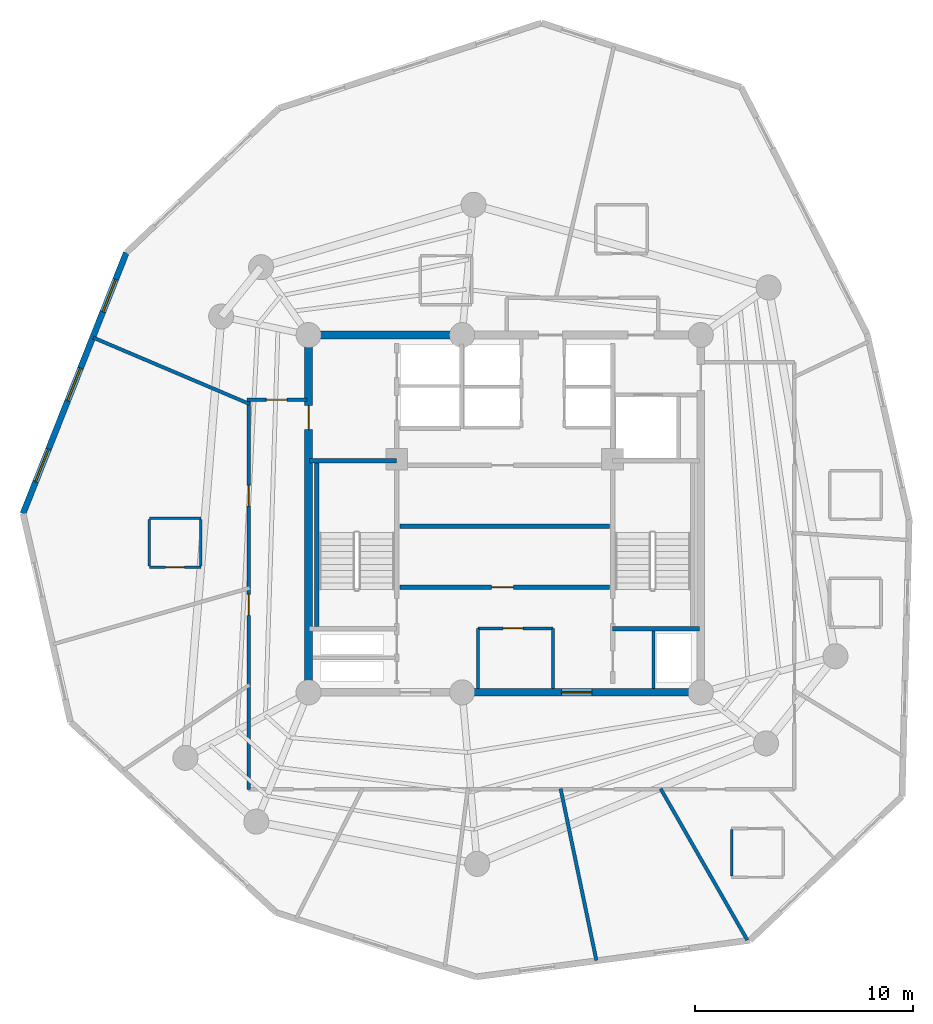
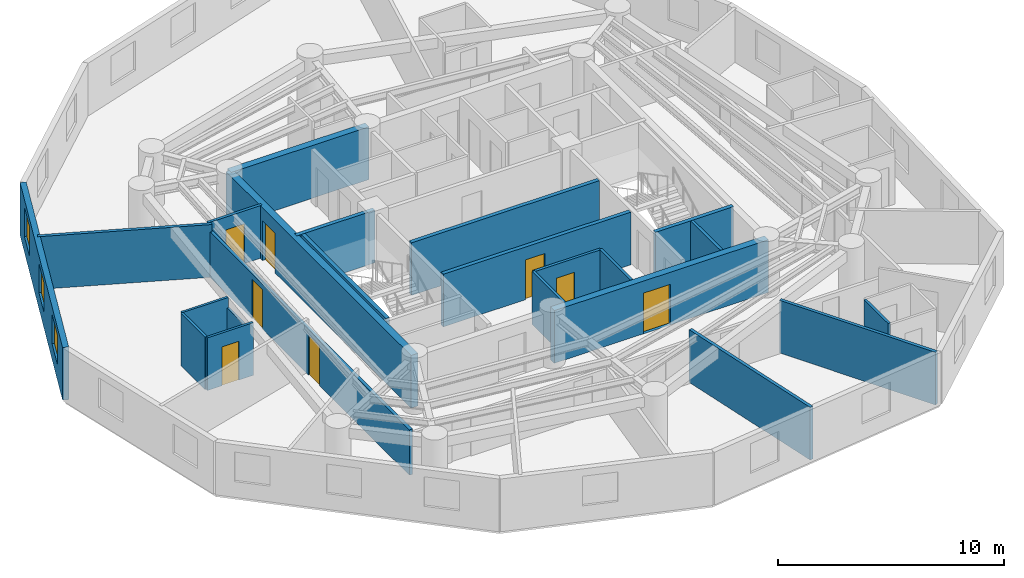
# One storey, part 3 of 7: 23 walls, 8 doors, 3 windows, 11 openings.
"""IFC4 building model written with IfcOpenShell, lengths in metres."""

from ifc_helpers import new_model, si_unit, direction, frame, frame_2d, origin, origin_with_axes, place, context, subcontext, project, spatial, rectangle, extrude, source, transform, mapped, material, layer, layer_set, type_object, element, fill, save


model = new_model("IFC4")

# Units and contexts
model_context = context("Model", 3, precision=1e-05, world=origin(), true_north=direction((0.0, 1.0)))
body_context = subcontext(model_context, "Body", "Model", "MODEL_VIEW")
ifc_project = project(units=[si_unit("LENGTHUNIT", "METRE"), si_unit("AREAUNIT", "SQUARE_METRE"), si_unit("VOLUMEUNIT", "CUBIC_METRE"), si_unit("PLANEANGLEUNIT", "RADIAN"), si_unit("MASSUNIT", "GRAM", prefix="KILO")], contexts=[model_context])

# Site, building, storey
site_placement = place(None, origin())
site = spatial("IfcSite", under=ifc_project, at=site_placement, CompositionType="ELEMENT")
building_placement = place(site_placement, origin())
building = spatial("IfcBuilding", under=site, at=building_placement, Name="Karkom Vertical University and Central Library", CompositionType="ELEMENT")
storey_placement = place(building_placement, frame((0.0, 0.0, 219.949951171875)))
storey = spatial("IfcBuildingStorey", under=building, at=storey_placement, Name="L64", CompositionType="ELEMENT", Elevation=219.949951171875)

# Wall, openings, windows
ifc_material_1 = material(Name="Brick-faced precast concrete C45/55", Category="masonry")
ifc_layer_1 = layer(ifc_material_1, 0.280029296875)
ifc_layer_set_1 = layer_set([ifc_layer_1], Name="Brick-faced precast concrete C45/55")
wall_type_1 = type_object("IfcWallType", Name="ENV-WL-BRK-280", PredefinedType="SOLIDWALL", material=ifc_layer_set_1)
wall_1_placement = place(storey_placement, frame((11.1357421875, 38.484130859375, 0.0), z_axis=(0.0, 0.0, 1.0), x_axis=(-0.367997606819, -0.929826737288, 0.0)))
wall_1 = element("IfcWall", 1, at=wall_1_placement, inside=storey, type_object=wall_type_1, Name="Level 64 Brick-Faced Precast Facade Wall 12", PredefinedType="SOLIDWALL", context=body_context, shape_type="SweptSolid", body=[
    extrude(rectangle(XDim=12.886474609375, YDim=0.280029296875, at=frame_2d((6.443359375, 0.0))), origin(), (0.0, 0.0, 1.0), 2.85009765625),
])
opening_1_placement = place(wall_1_placement, frame((1.32470703125, 0.0, 0.85009765625)))
opening_1 = element("IfcOpeningElement", 2, at=opening_1_placement, cuts=wall_1, Name="Opening WN-10", PredefinedType="OPENING", context=body_context, shape_type="SweptSolid", body=[
    extrude(rectangle(XDim=1.60009765625, YDim=1.60009765625, at=frame_2d((0.800048828125, 0.800048828125))), frame((0.0, 0.14990234375, 0.0), z_axis=(0.0, -1.0, 0.0), x_axis=(1.0, 0.0, 0.0)), (0.0, 0.0, 1.0), 0.300048828125),
])
opening_2_placement = place(wall_1_placement, frame((5.708740234375, 0.0, 0.85009765625)))
opening_2 = element("IfcOpeningElement", 3, at=opening_2_placement, cuts=wall_1, Name="Opening WN-10", PredefinedType="OPENING", context=body_context, shape_type="SweptSolid", body=[
    extrude(rectangle(XDim=1.60009765625, YDim=1.60009765625, at=frame_2d((0.800048828125, 0.800048828125))), frame((0.0, 0.14990234375, 0.0), z_axis=(0.0, -1.0, 0.0), x_axis=(1.0, 0.0, 0.0)), (0.0, 0.0, 1.0), 0.300048828125),
])
opening_3_placement = place(wall_1_placement, frame((9.707275390625, 0.0, 0.85009765625)))
opening_3 = element("IfcOpeningElement", 4, at=opening_3_placement, cuts=wall_1, Name="Opening WN-10", PredefinedType="OPENING", context=body_context, shape_type="SweptSolid", body=[
    extrude(rectangle(XDim=1.60009765625, YDim=1.60009765625, at=frame_2d((0.800048828125, 0.800048828125))), frame((0.0, 0.14990234375, 0.0), z_axis=(0.0, -1.0, 0.0), x_axis=(1.0, 0.0, 0.0)), (0.0, 0.0, 1.0), 0.300048828125),
])
ifc_material_2 = material(Name="Aluminium thermal-break frame with solar-control IGU", Category="aluminium")
window_type = type_object("IfcWindowType", Name="ENV-WIN-WN-10", PartitioningType="SINGLE_PANEL", PredefinedType="WINDOW", material=ifc_material_2)
shared_shape_1 = source(origin_with_axes(), body_context, "Body", "SweptSolid", [
    extrude(rectangle(XDim=1.60009765625, YDim=1.60009765625, at=frame_2d((0.800048828125, 0.800048828125))), frame((0.0, 0.030029296875, 0.0), z_axis=(0.0, -1.0, 0.0), x_axis=(1.0, 0.0, 0.0)), (0.0, 0.0, 1.0), 0.06005859375),
])
window_1_placement = place(opening_1_placement, origin())
window_1 = element("IfcWindow", 5, at=window_1_placement, inside=storey, type_object=window_type, Name="Level 64 Punched Window 12.1", OverallHeight=1.60009765625, OverallWidth=1.60009765625, PartitioningType="SINGLE_PANEL", PredefinedType="WINDOW", context=body_context, shape_type="MappedRepresentation", body=[
    mapped(shared_shape_1, transform((0.0, 0.0, 0.0), scale=1.0)),
])
fill(opening_1, window_1)
window_2_placement = place(opening_2_placement, origin())
window_2 = element("IfcWindow", 6, at=window_2_placement, inside=storey, type_object=window_type, Name="Level 64 Punched Window 12.2", OverallHeight=1.60009765625, OverallWidth=1.60009765625, PartitioningType="SINGLE_PANEL", PredefinedType="WINDOW", context=body_context, shape_type="MappedRepresentation", body=[
    mapped(shared_shape_1, transform((0.0, 0.0, 0.0), scale=1.0)),
])
fill(opening_2, window_2)
window_3_placement = place(opening_3_placement, origin())
window_3 = element("IfcWindow", 7, at=window_3_placement, inside=storey, type_object=window_type, Name="Level 64 Punched Window 12.3", OverallHeight=1.60009765625, OverallWidth=1.60009765625, PartitioningType="SINGLE_PANEL", PredefinedType="WINDOW", context=body_context, shape_type="MappedRepresentation", body=[
    mapped(shared_shape_1, transform((0.0, 0.0, 0.0), scale=1.0)),
])
fill(opening_3, window_3)

# Wall, openings, doors
ifc_material_3 = material(Name="Insulated metal-stud drywall 160mm", Category="gypsum")
ifc_layer_2 = layer(ifc_material_3, 0.159912109375)
ifc_layer_set_2 = layer_set([ifc_layer_2], Name="Insulated metal-stud drywall 160mm")
wall_type_2 = type_object("IfcWallType", Name="INT-WL-COR-160", PredefinedType="PARTITIONING", material=ifc_layer_set_2)
wall_2_placement = place(storey_placement, frame((16.75, 13.85009765625, 0.0), z_axis=(0.0, 0.0, 1.0), x_axis=(0.0, 1.0, 0.0)))
wall_2 = element("IfcWall", 8, at=wall_2_placement, inside=storey, type_object=wall_type_2, Name="Level 64 Interior Partition Wall L64-CORW-CW-002", PredefinedType="PARTITIONING", context=body_context, shape_type="SweptSolid", body=[
    extrude(rectangle(XDim=17.7998046875, YDim=0.159912109375, at=frame_2d((8.89990234375, 0.0))), origin(), (0.0, 0.0, 1.0), 2.449951171875),
])
opening_4_placement = place(wall_2_placement, frame((12.9921875, 0.0, 0.0)))
opening_4 = element("IfcOpeningElement", 9, at=opening_4_placement, cuts=wall_2, Name="Opening FD-RM2", PredefinedType="OPENING", context=body_context, shape_type="SweptSolid", body=[
    extrude(rectangle(XDim=0.9599609375, YDim=2.14990234375, at=frame_2d((0.47998046875, 1.074951171875))), frame((0.0, 0.08984375, 0.0), z_axis=(0.0, -1.0, 0.0), x_axis=(1.0, 0.0, 0.0)), (0.0, 0.0, 1.0), 0.179931640625),
])
opening_5_placement = place(wall_2_placement, frame((7.985107421875, 0.0, 0.0)))
opening_5 = element("IfcOpeningElement", 10, at=opening_5_placement, cuts=wall_2, Name="Opening FD-RM2", PredefinedType="OPENING", context=body_context, shape_type="SweptSolid", body=[
    extrude(rectangle(XDim=0.9599609375, YDim=2.14990234375, at=frame_2d((0.47998046875, 1.074951171875))), frame((0.0, 0.08984375, 0.0), z_axis=(0.0, -1.0, 0.0), x_axis=(1.0, 0.0, 0.0)), (0.0, 0.0, 1.0), 0.179931640625),
])
ifc_material_4 = material(Name="Fire-rated oak veneer door", Category="wood")
door_type_1 = type_object("IfcDoorType", Name="INT-DR-FRM2", OperationType="NOTDEFINED", PredefinedType="DOOR", material=ifc_material_4)
shared_shape_2 = source(origin_with_axes(), body_context, "Body", "SweptSolid", [
    extrude(rectangle(XDim=0.9599609375, YDim=2.14990234375, at=frame_2d((0.47998046875, 1.074951171875))), frame((0.0, 0.02490234375, 0.0), z_axis=(0.0, -1.0, 0.0), x_axis=(1.0, 0.0, 0.0)), (0.0, 0.0, 1.0), 0.050048828125),
])
door_1_placement = place(opening_4_placement, origin())
door_1 = element("IfcDoor", 11, at=door_1_placement, inside=storey, type_object=door_type_1, Name="Level 64 Room Entry Door 420", OperationType="SINGLE_SWING_RIGHT", OverallHeight=2.14990234375, OverallWidth=0.9599609375, PredefinedType="DOOR", context=body_context, shape_type="MappedRepresentation", body=[
    mapped(shared_shape_2, transform((0.0, 0.0, 0.0), scale=1.0)),
])
fill(opening_4, door_1)
door_2_placement = place(opening_5_placement, origin())
door_2 = element("IfcDoor", 12, at=door_2_placement, inside=storey, type_object=door_type_1, Name="Level 64 Room Entry Door 300", OperationType="SINGLE_SWING_LEFT", OverallHeight=2.14990234375, OverallWidth=0.9599609375, PredefinedType="DOOR", context=body_context, shape_type="MappedRepresentation", body=[
    mapped(shared_shape_2, transform((0.0, 0.0, 0.0), scale=1.0)),
])
fill(opening_5, door_2)

# Walls
wall_3_placement = place(storey_placement, frame((31.067626953125, 13.87939453125, 0.0), z_axis=(0.0, 0.0, 1.0), x_axis=(0.203904581613, -0.97899076686, 0.0)))
element("IfcWall", 13, at=wall_3_placement, inside=storey, type_object=wall_type_2, Name="Level 64 Interior Partition Wall L64-PW-005", PredefinedType="PARTITIONING", context=body_context, shape_type="SweptSolid", body=[
    extrude(rectangle(XDim=8.047119140625, YDim=0.159912109375, at=frame_2d((4.0234375, 0.0))), origin(), (0.0, 0.0, 1.0), 2.85009765625),
])
wall_4_placement = place(storey_placement, frame((35.6591796875, 13.8759765625, 0.0), z_axis=(0.0, 0.0, 1.0), x_axis=(0.496904293202, -0.867805348795, 0.0)))
element("IfcWall", 14, at=wall_4_placement, inside=storey, type_object=wall_type_2, Name="Level 64 Interior Partition Wall L64-PW-006", PredefinedType="PARTITIONING", context=body_context, shape_type="SweptSolid", body=[
    extrude(rectangle(XDim=8.002197265625, YDim=0.159912109375, at=frame_2d((4.0009765625, 0.0))), origin(), (0.0, 0.0, 1.0), 2.85009765625),
])
wall_5_placement = place(storey_placement, frame((16.777587890625, 31.541015625, 0.0), z_axis=(0.0, 0.0, 1.0), x_axis=(-0.920500032192, 0.390742486472, 0.0)))
element("IfcWall", 15, at=wall_5_placement, inside=storey, type_object=wall_type_2, Name="Level 64 Interior Partition Wall L64-PW-011", PredefinedType="PARTITIONING", context=body_context, shape_type="SweptSolid", body=[
    extrude(rectangle(XDim=7.7783203125, YDim=0.159912109375, at=frame_2d((3.88916015625, 0.0))), origin(), (0.0, 0.0, 1.0), 2.85009765625),
])

# Wall, opening, door
ifc_material_5 = material(Name="Moisture-resistant drywall 120mm", Category="gypsum")
ifc_layer_3 = layer(ifc_material_5, 0.1201171875)
ifc_layer_set_3 = layer_set([ifc_layer_3], Name="Moisture-resistant drywall 120mm")
wall_type_3 = type_object("IfcWallType", Name="INT-WL-INT-120F", PredefinedType="PARTITIONING", material=ifc_layer_set_3)
wall_6_placement = place(storey_placement, frame((12.194091796875, 24.049072265625, 0.0), z_axis=(0.0, 0.0, 1.0), x_axis=(1.0, 0.0, 0.0)))
wall_6 = element("IfcWall", 16, at=wall_6_placement, inside=storey, type_object=wall_type_3, Name="Level 64 Interior Partition Wall L64-ENS-50-S", PredefinedType="PARTITIONING", context=body_context, shape_type="SweptSolid", body=[
    extrude(rectangle(XDim=2.35986328125, YDim=0.1201171875, at=frame_2d((1.179931640625, 0.0))), origin(), (0.0, 0.0, 1.0), 2.85009765625),
])
opening_6_placement = place(wall_6_placement, frame((0.75, 0.0, 0.0)))
opening_6 = element("IfcOpeningElement", 17, at=opening_6_placement, cuts=wall_6, Name="Opening D-BATH", PredefinedType="OPENING", context=body_context, shape_type="SweptSolid", body=[
    extrude(rectangle(XDim=0.860107421875, YDim=2.10009765625, at=frame_2d((0.43017578125, 1.050048828125))), frame((0.0, 0.070068359375, 0.0), z_axis=(0.0, -1.0, 0.0), x_axis=(1.0, 0.0, 0.0)), (0.0, 0.0, 1.0), 0.14013671875),
])
ifc_material_6 = material(Name="Moisture-resistant oak door", Category="wood")
door_type_2 = type_object("IfcDoorType", Name="INT-DR-BATH", OperationType="NOTDEFINED", PredefinedType="DOOR", material=ifc_material_6)
shared_shape_3 = source(origin_with_axes(), body_context, "Body", "SweptSolid", [
    extrude(rectangle(XDim=0.860107421875, YDim=2.10009765625, at=frame_2d((0.43017578125, 1.050048828125))), frame((0.0, 0.02490234375, 0.0), z_axis=(0.0, -1.0, 0.0), x_axis=(1.0, 0.0, 0.0)), (0.0, 0.0, 1.0), 0.050048828125),
])
door_3_placement = place(opening_6_placement, origin())
door_3 = element("IfcDoor", 18, at=door_3_placement, inside=storey, type_object=door_type_2, Name="Level 64 En-Suite Bathroom Door 50", OperationType="SINGLE_SWING_LEFT", OverallHeight=2.10009765625, OverallWidth=0.860107421875, PredefinedType="DOOR", context=body_context, shape_type="MappedRepresentation", body=[
    mapped(shared_shape_3, transform((0.0, 0.0, 0.0), scale=1.0)),
])
fill(opening_6, door_3)

# Walls
wall_7_placement = place(storey_placement, frame((14.553955078125, 26.2890625, 0.0), z_axis=(0.0, 0.0, 1.0), x_axis=(-1.0, 0.0, 0.0)))
element("IfcWall", 19, at=wall_7_placement, inside=storey, type_object=wall_type_3, Name="Level 64 Interior Partition Wall L64-ENS-50-N", PredefinedType="PARTITIONING", context=body_context, shape_type="SweptSolid", body=[
    extrude(rectangle(XDim=2.35986328125, YDim=0.1201171875, at=frame_2d((1.179931640625, 0.0))), origin(), (0.0, 0.0, 1.0), 2.85009765625),
])
wall_8_placement = place(storey_placement, frame((14.553955078125, 24.09912109375, 0.0), z_axis=(0.0, 0.0, 1.0), x_axis=(0.0, 1.0, 0.0)))
element("IfcWall", 20, at=wall_8_placement, inside=storey, type_object=wall_type_3, Name="Level 64 Interior Partition Wall L64-ENS-50-E", PredefinedType="PARTITIONING", context=body_context, shape_type="SweptSolid", body=[
    extrude(rectangle(XDim=2.139892578125, YDim=0.1201171875, at=frame_2d((1.06982421875, 0.0))), origin(), (0.0, 0.0, 1.0), 2.300048828125),
])
for number, where, z_axis, x_axis, name in (
    (21, (12.194091796875, 26.239013671875, 0.0), (0.0, 0.0, 1.0), (0.0, -1.0, 0.0), "Level 64 Interior Partition Wall L64-ENS-50-W"),
    (22, (38.9169921875, 12.00390625, 0.0), (0.0, 0.0, 1.0), (0.0, -1.0, 0.0), "Level 64 Interior Partition Wall L64-ENS-45-W"),
):
    element("IfcWall", number, at=place(storey_placement, frame(where, z_axis=z_axis, x_axis=x_axis)), inside=storey, type_object=wall_type_3, Name=name, PredefinedType="PARTITIONING", context=body_context, shape_type="SweptSolid", body=[
        extrude(rectangle(XDim=2.139892578125, YDim=0.1201171875, at=frame_2d((1.06982421875, 0.0))), origin(), (0.0, 0.0, 1.0), 2.85009765625),
    ])

# Wall, opening, door
ifc_material_7 = material(Name="Metal-stud gypsum partition 140mm", Category="gypsum")
ifc_layer_4 = layer(ifc_material_7, 0.139892578125)
ifc_layer_set_4 = layer_set([ifc_layer_4], Name="Metal-stud gypsum partition 140mm")
wall_type_4 = type_object("IfcWallType", Name="INT-WL-SUB-140", PredefinedType="PARTITIONING", material=ifc_layer_set_4)
wall_9_placement = place(storey_placement, frame((27.280029296875, 21.239990234375, 0.0), z_axis=(0.0, 0.0, 1.0), x_axis=(1.0, 0.0, 0.0)))
wall_9 = element("IfcWall", 23, at=wall_9_placement, inside=storey, type_object=wall_type_4, Name="Level 64 Interior Partition Wall L64-CW-KBAY-N", PredefinedType="PARTITIONING", context=body_context, shape_type="SweptSolid", body=[
    extrude(rectangle(XDim=3.43994140625, YDim=0.139892578125, at=frame_2d((1.719970703125, 0.0))), origin(), (0.0, 0.0, 1.0), 2.85009765625),
])
opening_7_placement = place(wall_9_placement, frame((1.14990234375, 0.0, 0.0)))
opening_7 = element("IfcOpeningElement", 24, at=opening_7_placement, cuts=wall_9, Name="Opening D-SVC1", PredefinedType="OPENING", context=body_context, shape_type="SweptSolid", body=[
    extrude(rectangle(XDim=0.919921875, YDim=2.10009765625, at=frame_2d((0.4599609375, 1.050048828125))), frame((0.0, 0.080078125, 0.0), z_axis=(0.0, -1.0, 0.0), x_axis=(1.0, 0.0, 0.0)), (0.0, 0.0, 1.0), 0.159912109375),
])
ifc_material_8 = material(Name="Painted timber service door", Category="wood")
door_type_3 = type_object("IfcDoorType", Name="INT-DR-SVC1", OperationType="NOTDEFINED", PredefinedType="DOOR", material=ifc_material_8)
shared_shape_4 = source(origin_with_axes(), body_context, "Body", "SweptSolid", [
    extrude(rectangle(XDim=0.919921875, YDim=2.10009765625, at=frame_2d((0.4599609375, 1.050048828125))), frame((0.0, 0.02490234375, 0.0), z_axis=(0.0, -1.0, 0.0), x_axis=(1.0, 0.0, 0.0)), (0.0, 0.0, 1.0), 0.050048828125),
])
door_4_placement = place(opening_7_placement, origin())
door_4 = element("IfcDoor", 25, at=door_4_placement, inside=storey, type_object=door_type_3, Name="Level 64 Comms Room Door", OperationType="SINGLE_SWING_RIGHT", OverallHeight=2.10009765625, OverallWidth=0.919921875, PredefinedType="DOOR", context=body_context, shape_type="MappedRepresentation", body=[
    mapped(shared_shape_4, transform((0.0, 0.0, 0.0), scale=1.0)),
])
fill(opening_7, door_4)

wall_10_placement = place(storey_placement, frame((19.419921875, 31.72998046875, 0.0), z_axis=(0.0, 0.0, 1.0), x_axis=(-1.0, 0.0, 0.0)))
wall_10 = element("IfcWall", 26, at=wall_10_placement, inside=storey, type_object=wall_type_4, Name="Level 64 Interior Partition Wall L64-CWALL-418", PredefinedType="PARTITIONING", context=body_context, shape_type="SweptSolid", body=[
    extrude(rectangle(XDim=2.75, YDim=0.139892578125, at=frame_2d((1.375, 0.0))), origin(), (0.0, 0.0, 1.0), 2.85009765625),
])
opening_8_placement = place(wall_10_placement, frame((0.89990234375, 0.0, 0.0)))
opening_8 = element("IfcOpeningElement", 27, at=opening_8_placement, cuts=wall_10, Name="Opening FD-RM2", PredefinedType="OPENING", context=body_context, shape_type="SweptSolid", body=[
    extrude(rectangle(XDim=0.9599609375, YDim=2.14990234375, at=frame_2d((0.47998046875, 1.074951171875))), frame((0.0, 0.080078125, 0.0), z_axis=(0.0, -1.0, 0.0), x_axis=(1.0, 0.0, 0.0)), (0.0, 0.0, 1.0), 0.159912109375),
])
door_5_placement = place(opening_8_placement, origin())
door_5 = element("IfcDoor", 28, at=door_5_placement, inside=storey, type_object=door_type_1, Name="Level 64 Room Entry Door 418", OperationType="SINGLE_SWING_RIGHT", OverallHeight=2.14990234375, OverallWidth=0.9599609375, PredefinedType="DOOR", context=body_context, shape_type="MappedRepresentation", body=[
    mapped(shared_shape_2, transform((0.0, 0.0, 0.0), scale=1.0)),
])
fill(opening_8, door_5)

# Walls
for number, where, z_axis, x_axis, name in (
    (29, (27.280029296875, 18.48193359375, 0.0), (0.0, 0.0, 1.0), (0.0, 1.0, 0.0), "Level 64 Interior Partition Wall L64-CW-KBAY-W"),
    (30, (30.719970703125, 18.48193359375, 0.0), (0.0, 0.0, 1.0), (0.0, 1.0, 0.0), "Level 64 Interior Partition Wall L64-CW-KBAY-E"),
):
    element("IfcWall", number, at=place(storey_placement, frame(where, z_axis=z_axis, x_axis=x_axis)), inside=storey, type_object=wall_type_4, Name=name, PredefinedType="PARTITIONING", context=body_context, shape_type="SweptSolid", body=[
        extrude(rectangle(XDim=2.758056640625, YDim=0.139892578125, at=frame_2d((1.37890625, 0.0))), origin(), (0.0, 0.0, 1.0), 2.85009765625),
    ])
ifc_layer_5 = layer(ifc_material_7, 0.139892578125)
ifc_layer_set_5 = layer_set([ifc_layer_5], Name="Metal-stud gypsum partition 140mm")
wall_type_5 = type_object("IfcWallType", Name="INT-WL-SUB-140H", PredefinedType="PARTITIONING", material=ifc_layer_set_5)
wall_11_placement = place(storey_placement, frame((35.320068359375, 18.48193359375, 0.0), z_axis=(0.0, 0.0, 1.0), x_axis=(0.0, 1.0, 0.0)))
element("IfcWall", 31, at=wall_11_placement, inside=storey, type_object=wall_type_5, Name="Level 64 Interior Partition Wall L64-CW-RIS-E", PredefinedType="PARTITIONING", context=body_context, shape_type="SweptSolid", body=[
    extrude(rectangle(XDim=2.629150390625, YDim=0.139892578125, at=frame_2d((1.314453125, 0.0))), origin(), (0.0, 0.0, 1.0), 2.85009765625),
])

# Wall, opening, door
ifc_material_9 = material(Name="Concrete C45/55", Category="concrete")
ifc_layer_6 = layer(ifc_material_9, 0.35009765625)
ifc_layer_set_6 = layer_set([ifc_layer_6], Name="Concrete C45/55")
wall_type_6 = type_object("IfcWallType", Name="STR-WL-CW-350", PredefinedType="SHEAR", material=ifc_layer_set_6)
wall_12_placement = place(storey_placement, frame((26.550048828125, 18.300048828125, 0.0), z_axis=(0.0, 0.0, 1.0), x_axis=(1.0, 0.0, 0.0)))
wall_12 = element("IfcWall", 32, at=wall_12_placement, inside=storey, type_object=wall_type_6, Name="Level 64 Central Core Shear Wall SW2", PredefinedType="SHEAR", context=body_context, shape_type="SweptSolid", body=[
    extrude(rectangle(XDim=10.949951171875, YDim=0.35009765625, at=frame_2d((5.47509765625, 0.0))), origin(), (0.0, 0.0, 1.0), 2.85009765625),
])
opening_9_placement = place(wall_12_placement, frame((4.550048828125, 0.0, 0.0)))
opening_9 = element("IfcOpeningElement", 33, at=opening_9_placement, cuts=wall_12, Name="Opening FD-CLB", PredefinedType="OPENING", context=body_context, shape_type="SweptSolid", body=[
    extrude(rectangle(XDim=1.39990234375, YDim=2.199951171875, at=frame_2d((0.699951171875, 1.10009765625))), frame((0.0, 0.18505859375, 0.0), z_axis=(0.0, -1.0, 0.0), x_axis=(1.0, 0.0, 0.0)), (0.0, 0.0, 1.0), 0.3701171875),
])
ifc_material_10 = material(Name="Painted steel fire door", Category="steel")
door_type_4 = type_object("IfcDoorType", Name="INT-DR-CLB", OperationType="DOUBLE_DOOR_SINGLE_SWING", PredefinedType="DOOR", material=ifc_material_10)
shared_shape_5 = source(origin_with_axes(), body_context, "Body", "SweptSolid", [
    extrude(rectangle(XDim=1.39990234375, YDim=2.199951171875, at=frame_2d((0.699951171875, 1.10009765625))), frame((0.0, 0.02490234375, 0.0), z_axis=(0.0, -1.0, 0.0), x_axis=(1.0, 0.0, 0.0)), (0.0, 0.0, 1.0), 0.050048828125),
])
door_6_placement = place(opening_9_placement, origin())
door_6 = element("IfcDoor", 34, at=door_6_placement, inside=storey, type_object=door_type_4, Name="Level 64 South Core Lobby East Exit Door", OperationType="DOUBLE_DOOR_SINGLE_SWING", OverallHeight=2.199951171875, OverallWidth=1.39990234375, PredefinedType="DOOR", context=body_context, shape_type="MappedRepresentation", body=[
    mapped(shared_shape_5, transform((0.0, 0.0, 0.0), scale=1.0)),
])
fill(opening_9, door_6)

# Wall
wall_13_placement = place(storey_placement, frame((26.550048828125, 34.699951171875, 0.0), z_axis=(0.0, 0.0, 1.0), x_axis=(-1.0, 0.0, 0.0)))
element("IfcWall", 35, at=wall_13_placement, inside=storey, type_object=wall_type_6, Name="Level 64 Central Core Shear Wall NW2", PredefinedType="SHEAR", context=body_context, shape_type="SweptSolid", body=[
    extrude(rectangle(XDim=7.050048828125, YDim=0.35009765625, at=frame_2d((3.52490234375, 0.0))), origin(), (0.0, 0.0, 1.0), 2.85009765625),
])

# Wall, opening, door
wall_14_placement = place(storey_placement, frame((19.5, 34.699951171875, 0.0), z_axis=(0.0, 0.0, 1.0), x_axis=(0.0, -1.0, 0.0)))
wall_14 = element("IfcWall", 36, at=wall_14_placement, inside=storey, type_object=wall_type_6, Name="Level 64 Central Core Shear Wall WW", PredefinedType="SHEAR", context=body_context, shape_type="SweptSolid", body=[
    extrude(rectangle(XDim=16.39990234375, YDim=0.35009765625, at=frame_2d((8.199951171875, 0.0))), origin(), (0.0, 0.0, 1.0), 2.85009765625),
])
opening_10_placement = place(wall_14_placement, frame((3.239990234375, 0.0, 0.0)))
opening_10 = element("IfcOpeningElement", 37, at=opening_10_placement, cuts=wall_14, Name="Opening FD-FFL", PredefinedType="OPENING", context=body_context, shape_type="SweptSolid", body=[
    extrude(rectangle(XDim=1.10009765625, YDim=2.14990234375, at=frame_2d((0.550048828125, 1.074951171875))), frame((0.0, 0.18505859375, 0.0), z_axis=(0.0, -1.0, 0.0), x_axis=(1.0, 0.0, 0.0)), (0.0, 0.0, 1.0), 0.3701171875),
])
ifc_material_11 = material(Name="Painted steel smoke-seal fire door", Category="steel")
door_type_5 = type_object("IfcDoorType", Name="INT-DR-FFL", OperationType="NOTDEFINED", PredefinedType="DOOR", material=ifc_material_11)
shared_shape_6 = source(origin_with_axes(), body_context, "Body", "SweptSolid", [
    extrude(rectangle(XDim=1.10009765625, YDim=2.14990234375, at=frame_2d((0.550048828125, 1.074951171875))), frame((0.0, 0.02490234375, 0.0), z_axis=(0.0, -1.0, 0.0), x_axis=(1.0, 0.0, 0.0)), (0.0, 0.0, 1.0), 0.050048828125),
])
door_7_placement = place(opening_10_placement, origin())
door_7 = element("IfcDoor", 38, at=door_7_placement, inside=storey, type_object=door_type_5, Name="Level 64 West Corridor Firefighting Lobby Door", OperationType="SINGLE_SWING_RIGHT", OverallHeight=2.14990234375, OverallWidth=1.10009765625, PredefinedType="DOOR", context=body_context, shape_type="MappedRepresentation", body=[
    mapped(shared_shape_6, transform((0.0, 0.0, 0.0), scale=1.0)),
])
fill(opening_10, door_7)

ifc_layer_7 = layer(ifc_material_9, 0.199951171875)
ifc_layer_set_7 = layer_set([ifc_layer_7], Name="Concrete C45/55")
wall_type_7 = type_object("IfcWallType", Name="STR-WL-ST-200", PredefinedType="SHEAR", material=ifc_layer_set_7)
wall_15_placement = place(storey_placement, frame((23.699951171875, 23.1201171875, 0.0), z_axis=(0.0, 0.0, 1.0), x_axis=(1.0, 0.0, 0.0)))
wall_15 = element("IfcWall", 39, at=wall_15_placement, inside=storey, type_object=wall_type_7, Name="Level 64 Core Shaft Wall L64-CW-B1-S", PredefinedType="SHEAR", context=body_context, shape_type="SweptSolid", body=[
    extrude(rectangle(XDim=9.60009765625, YDim=0.199951171875, at=frame_2d((4.800048828125, 0.0))), origin(), (0.0, 0.0, 1.0), 2.85009765625),
])
opening_11_placement = place(wall_15_placement, frame((4.199951171875, 0.0, 0.0)))
opening_11 = element("IfcOpeningElement", 40, at=opening_11_placement, cuts=wall_15, Name="Opening D-STR1", PredefinedType="OPENING", context=body_context, shape_type="SweptSolid", body=[
    extrude(rectangle(XDim=1.0, YDim=2.14990234375, at=frame_2d((0.5, 1.074951171875))), frame((0.0, 0.10986328125, 0.0), z_axis=(0.0, -1.0, 0.0), x_axis=(1.0, 0.0, 0.0)), (0.0, 0.0, 1.0), 0.219970703125),
])
ifc_material_12 = material(Name="Solid-core hardwood fire door", Category="wood")
door_type_6 = type_object("IfcDoorType", Name="INT-DR-STR1", OperationType="NOTDEFINED", PredefinedType="DOOR", material=ifc_material_12)
shared_shape_7 = source(origin_with_axes(), body_context, "Body", "SweptSolid", [
    extrude(rectangle(XDim=1.0, YDim=2.14990234375, at=frame_2d((0.5, 1.074951171875))), frame((0.0, 0.02490234375, 0.0), z_axis=(0.0, -1.0, 0.0), x_axis=(1.0, 0.0, 0.0)), (0.0, 0.0, 1.0), 0.050048828125),
])
door_8_placement = place(opening_11_placement, origin())
door_8 = element("IfcDoor", 41, at=door_8_placement, inside=storey, type_object=door_type_6, Name="Level 64 Campus Digital Archive Store Door", OperationType="SINGLE_SWING_LEFT", OverallHeight=2.14990234375, OverallWidth=1.0, PredefinedType="DOOR", context=body_context, shape_type="MappedRepresentation", body=[
    mapped(shared_shape_7, transform((0.0, 0.0, 0.0), scale=1.0)),
])
fill(opening_11, door_8)

# Walls
wall_16_placement = place(storey_placement, frame((23.699951171875, 25.919921875, 0.0), z_axis=(0.0, 0.0, 1.0), x_axis=(1.0, 0.0, 0.0)))
element("IfcWall", 42, at=wall_16_placement, inside=storey, type_object=wall_type_7, Name="Level 64 Core Shaft Wall L64-CW-B1-N", PredefinedType="SHEAR", context=body_context, shape_type="SweptSolid", body=[
    extrude(rectangle(XDim=9.60009765625, YDim=0.199951171875, at=frame_2d((4.800048828125, 0.0))), origin(), (0.0, 0.0, 1.0), 2.85009765625),
])
wall_17_placement = place(storey_placement, frame((19.875, 21.320068359375, 0.0), z_axis=(0.0, 0.0, 1.0), x_axis=(0.0, 1.0, 0.0)))
element("IfcWall", 43, at=wall_17_placement, inside=storey, type_object=wall_type_7, Name="Level 64 Core Shaft Wall L64-CW-ST1-W", PredefinedType="SHEAR", context=body_context, shape_type="SweptSolid", body=[
    extrude(rectangle(XDim=7.5, YDim=0.199951171875, at=frame_2d((3.75, 0.0))), origin(), (0.0, 0.0, 1.0), 2.85009765625),
])
for number, where, z_axis, x_axis, name in (
    (44, (33.455078125, 21.215087890625, 0.0), (0.0, 0.0, 1.0), (1.0, 0.0, 0.0), "Level 64 Core Shaft Wall L64-CW-ST2-S"),
    (45, (19.550048828125, 28.925048828125, 0.0), (0.0, 0.0, 1.0), (1.0, 0.0, 0.0), "Level 64 Core Shaft Wall L64-CW-ST1-N"),
):
    element("IfcWall", number, at=place(storey_placement, frame(where, z_axis=z_axis, x_axis=x_axis)), inside=storey, type_object=wall_type_7, Name=name, PredefinedType="SHEAR", context=body_context, shape_type="SweptSolid", body=[
        extrude(rectangle(XDim=3.994873046875, YDim=0.199951171875, at=frame_2d((1.99755859375, 0.0))), origin(), (0.0, 0.0, 1.0), 2.85009765625),
    ])

save(model, "model.ifc")
